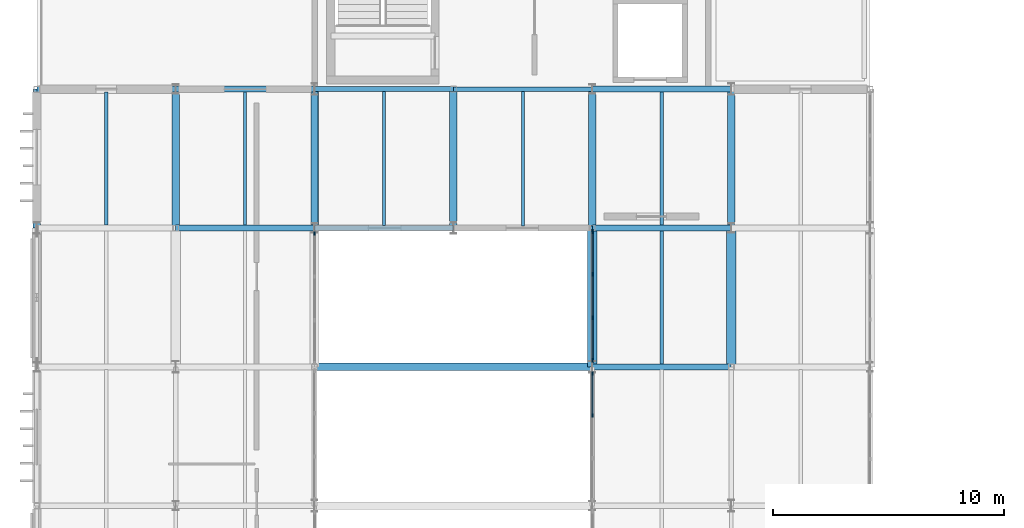
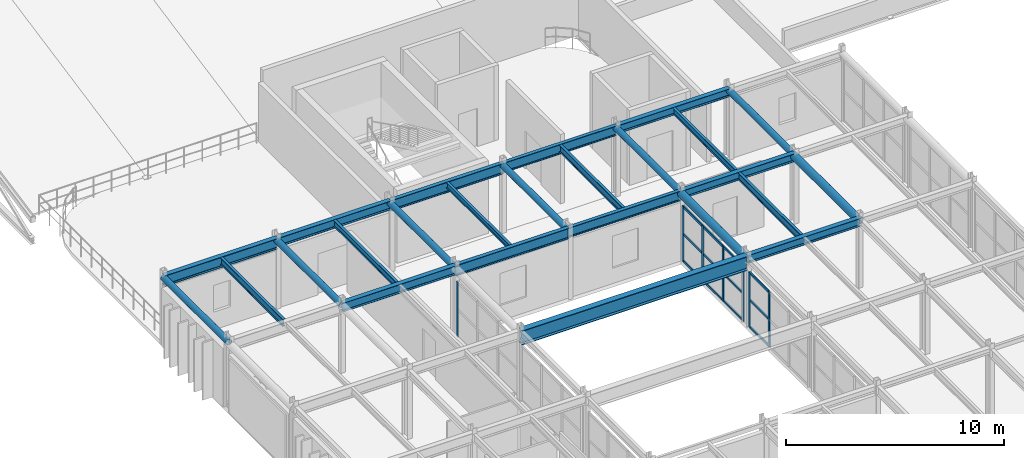
# One storey, part 15 of 83: 25 beams, 19 members, 3 elements without a shape of their own.
"""IFC4 building model written with IfcOpenShell, lengths in metres."""

from ifc_helpers import new_model, si_unit, direction, frame, origin, origin_2d, place, context, subcontext, project, spatial, rectangle, hollow_circle, i_section, extrude, material, material_profile, profile_set, type_object, element, aggregate, save


model = new_model("IFC4")

# Units and contexts
model_context = context("Model", 3, precision=1e-05, world=origin(), true_north=direction((0.0, 1.0)))
body_context = subcontext(model_context, "Body", "Model", "MODEL_VIEW")
ifc_project = project(units=[si_unit("LENGTHUNIT", "METRE"), si_unit("AREAUNIT", "SQUARE_METRE"), si_unit("VOLUMEUNIT", "CUBIC_METRE"), si_unit("PLANEANGLEUNIT", "RADIAN"), si_unit("MASSUNIT", "GRAM", prefix="KILO")], contexts=[model_context])

# Site, building, storey
site_placement = place(None, origin())
site = spatial("IfcSite", under=ifc_project, at=site_placement, CompositionType="ELEMENT")
building_placement = place(site_placement, origin())
building = spatial("IfcBuilding", under=site, at=building_placement, Name="Varnakota Square Police Headquarters", CompositionType="ELEMENT")
storey_placement = place(building_placement, frame((0.0, 0.0, 18.0)))
storey = spatial("IfcBuildingStorey", under=building, at=storey_placement, Name="L04", CompositionType="ELEMENT", Elevation=18.0)

# Beams
ifc_material_1 = material(Name="Steel IS 2062 Grade 350", Category="steel")
ifc_material_profile_1 = material_profile(ifc_material_1, hollow_circle(Radius=0.161865234375, WallThickness=0.0126953125, at=origin_2d()), Name="CHS 323.9x12.7")
ifc_profile_set_1 = profile_set([ifc_material_profile_1], Name="Steel IS 2062 Grade 350")
beam_type_1 = type_object("IfcBeamType", Name="BM-ARC-CHS324", PredefinedType="BEAM", material=ifc_profile_set_1)
for number, where, z_axis, x_axis, name in (
    (1, (6.0, 57.0, 3.738037109375), (0.0, 1.0, 0.0), (-1.0, 0.0, 0.0), "BMG-L04-2936"),
    (2, (12.0, 57.0, 3.738037109375), (0.0, 1.0, 0.0), (-1.0, 0.0, 0.0), "BMG-L04-2943"),
    (3, (18.0, 57.0, 3.738037109375), (0.0, 1.0, 0.0), (-1.0, 0.0, 0.0), "BMG-L04-2950"),
    (4, (24.0, 57.0, 3.738037109375), (0.0, 1.0, 0.0), (-1.0, 0.0, 0.0), "BMG-L04-2954"),
    (5, (30.0, 57.0, 3.738037109375), (0.0, 1.0, 0.0), (-1.0, 0.0, 0.0), "BMG-L04-2961"),
    (6, (36.0, 57.0, 3.738037109375), (0.0, 1.0, 0.0), (-1.0, 0.0, 0.0), "BMG-L04-2968"),
):
    element("IfcBeam", number, at=place(storey_placement, frame(where, z_axis=z_axis, x_axis=x_axis)), inside=storey, type_object=beam_type_1, Name=name, PredefinedType="BEAM", context=body_context, shape_type="SweptSolid", body=[
        extrude(hollow_circle(Radius=0.161865234375, WallThickness=0.0126953125, at=origin_2d()), origin(), (0.0, 0.0, 1.0), 6.0),
    ])
ifc_material_profile_2 = material_profile(ifc_material_1, hollow_circle(Radius=0.203125, WallThickness=0.01611328125, at=origin_2d()), Name="CHS 406.4x16.0")
ifc_profile_set_2 = profile_set([ifc_material_profile_2], Name="Steel IS 2062 Grade 350")
beam_type_2 = type_object("IfcBeamType", Name="BM-ARC-CHS406", PredefinedType="BEAM", material=ifc_profile_set_2)
for number, where, z_axis, x_axis, name in (
    (7, (30.0, 51.0, 3.69677734375), (0.0, 1.0, 0.0), (-1.0, 0.0, 0.0), "BMG-L04-2960"),
    (8, (36.0, 51.0, 3.69677734375), (0.0, 1.0, 0.0), (-1.0, 0.0, 0.0), "BMG-L04-2967"),
):
    element("IfcBeam", number, at=place(storey_placement, frame(where, z_axis=z_axis, x_axis=x_axis)), inside=storey, type_object=beam_type_2, Name=name, PredefinedType="BEAM", context=body_context, shape_type="SweptSolid", body=[
        extrude(hollow_circle(Radius=0.203125, WallThickness=0.01611328125, at=origin_2d()), origin(), (0.0, 0.0, 1.0), 6.0),
    ])
ifc_material_profile_3 = material_profile(ifc_material_1, i_section(OverallWidth=0.320068359375, OverallDepth=0.800048828125, WebThickness=0.01611328125, FlangeThickness=0.028076171875, at=origin_2d()), Name="BPG 800x320")
ifc_profile_set_3 = profile_set([ifc_material_profile_3], Name="Steel IS 2062 Grade 350")
beam_type_3 = type_object("IfcBeamType", Name="BM-BPG800", PredefinedType="BEAM", material=ifc_profile_set_3)
beam_1_placement = place(storey_placement, frame((18.0, 51.0, 3.5), z_axis=(1.0, 0.0, 0.0), x_axis=(0.0, 1.0, 0.0)))
element("IfcBeam", 9, at=beam_1_placement, inside=storey, type_object=beam_type_3, Name="BMG-L04-2915", PredefinedType="BEAM", context=body_context, shape_type="SweptSolid", body=[
    extrude(i_section(OverallWidth=0.320068359375, OverallDepth=0.800048828125, WebThickness=0.01611328125, FlangeThickness=0.028076171875, at=origin_2d()), origin(), (0.0, 0.0, 1.0), 12.0),
])
ifc_material_profile_4 = material_profile(ifc_material_1, i_section(OverallWidth=0.25, OverallDepth=0.449951171875, WebThickness=0.01123046875, FlangeThickness=0.013671875, FilletRadius=0.014892578125, at=origin_2d()), Name="ISHB 450")
ifc_profile_set_4 = profile_set([ifc_material_profile_4], Name="Steel IS 2062 Grade 350")
beam_type_4 = type_object("IfcBeamType", Name="BM-ISHB450", PredefinedType="BEAM", material=ifc_profile_set_4)
for number, where, z_axis, x_axis, name in (
    (10, (30.0, 51.0, 3.675048828125), (1.0, 0.0, 0.0), (0.0, 1.0, 0.0), "BMG-L04-2916"),
    (11, (30.0, 57.0, 3.675048828125), (1.0, 0.0, 0.0), (0.0, 1.0, 0.0), "BMG-L04-2922"),
    (12, (30.0, 63.0, 3.675048828125), (1.0, 0.0, 0.0), (0.0, 1.0, 0.0), "BMG-L04-2928"),
):
    element("IfcBeam", number, at=place(storey_placement, frame(where, z_axis=z_axis, x_axis=x_axis)), inside=storey, type_object=beam_type_4, Name=name, PredefinedType="BEAM", context=body_context, shape_type="SweptSolid", body=[
        extrude(i_section(OverallWidth=0.25, OverallDepth=0.449951171875, WebThickness=0.01123046875, FlangeThickness=0.013671875, FilletRadius=0.014892578125, at=origin_2d()), origin(), (0.0, 0.0, 1.0), 6.0),
    ])
ifc_material_profile_5 = material_profile(ifc_material_1, i_section(OverallWidth=0.139892578125, OverallDepth=0.300048828125, WebThickness=0.0078125, FlangeThickness=0.01318359375, FilletRadius=0.013916015625, at=origin_2d()), Name="ISMB 300")
ifc_profile_set_5 = profile_set([ifc_material_profile_5], Name="Steel IS 2062 Grade 350")
beam_type_5 = type_object("IfcBeamType", Name="BM-ISMB300", PredefinedType="JOIST", material=ifc_profile_set_5)
beam_2_placement = place(storey_placement, frame((21.0, 57.10302734375, 3.75), z_axis=(0.0, 1.0, 0.0), x_axis=(-1.0, 0.0, 0.0)))
element("IfcBeam", 13, at=beam_2_placement, inside=storey, type_object=beam_type_5, Name="BMG-L04-3036", PredefinedType="JOIST", context=body_context, shape_type="SweptSolid", body=[
    extrude(i_section(OverallWidth=0.139892578125, OverallDepth=0.300048828125, WebThickness=0.0078125, FlangeThickness=0.01318359375, FilletRadius=0.013916015625, at=origin_2d()), origin(), (0.0, 0.0, 1.0), 5.7939453125),
])
ifc_material_profile_6 = material_profile(ifc_material_1, i_section(OverallWidth=0.139892578125, OverallDepth=0.35009765625, WebThickness=0.008056640625, FlangeThickness=0.01416015625, FilletRadius=0.013916015625, at=origin_2d()), Name="ISMB 350")
ifc_profile_set_6 = profile_set([ifc_material_profile_6], Name="Steel IS 2062 Grade 350")
beam_type_6 = type_object("IfcBeamType", Name="BM-ISMB350", PredefinedType="JOIST", material=ifc_profile_set_6)
for number, where, z_axis, x_axis, name in (
    (14, (15.0, 57.123046875, 3.72509765625), (0.0, 1.0, 0.0), (-1.0, 0.0, 0.0), "BMG-L04-3032"),
    (15, (33.0, 57.123046875, 3.72509765625), (0.0, 1.0, 0.0), (-1.0, 0.0, 0.0), "BMG-L04-3047"),
):
    element("IfcBeam", number, at=place(storey_placement, frame(where, z_axis=z_axis, x_axis=x_axis)), inside=storey, type_object=beam_type_6, Name=name, PredefinedType="JOIST", context=body_context, shape_type="SweptSolid", body=[
        extrude(i_section(OverallWidth=0.139892578125, OverallDepth=0.35009765625, WebThickness=0.008056640625, FlangeThickness=0.01416015625, FilletRadius=0.013916015625, at=origin_2d()), origin(), (0.0, 0.0, 1.0), 5.75390625),
    ])
ifc_material_profile_7 = material_profile(ifc_material_1, i_section(OverallWidth=0.139892578125, OverallDepth=0.39990234375, WebThickness=0.0087890625, FlangeThickness=0.01611328125, FilletRadius=0.013916015625, at=origin_2d()), Name="ISMB 400")
ifc_profile_set_7 = profile_set([ifc_material_profile_7], Name="Steel IS 2062 Grade 350")
beam_type_7 = type_object("IfcBeamType", Name="BM-ISMB400", PredefinedType="JOIST", material=ifc_profile_set_7)
beam_3_placement = place(storey_placement, frame((9.0, 57.123046875, 3.699951171875), z_axis=(0.0, 1.0, 0.0), x_axis=(-1.0, 0.0, 0.0)))
element("IfcBeam", 16, at=beam_3_placement, inside=storey, type_object=beam_type_7, Name="BMG-L04-3026", PredefinedType="JOIST", context=body_context, shape_type="SweptSolid", body=[
    extrude(i_section(OverallWidth=0.139892578125, OverallDepth=0.39990234375, WebThickness=0.0087890625, FlangeThickness=0.01611328125, FilletRadius=0.013916015625, at=origin_2d()), origin(), (0.0, 0.0, 1.0), 5.75390625),
])
beam_4_placement = place(storey_placement, frame((27.0, 57.093017578125, 3.699951171875), z_axis=(0.0, 1.0, 0.0), x_axis=(-1.0, 0.0, 0.0)))
element("IfcBeam", 17, at=beam_4_placement, inside=storey, type_object=beam_type_7, Name="BMG-L04-3040", PredefinedType="JOIST", context=body_context, shape_type="SweptSolid", body=[
    extrude(i_section(OverallWidth=0.139892578125, OverallDepth=0.39990234375, WebThickness=0.0087890625, FlangeThickness=0.01611328125, FilletRadius=0.013916015625, at=origin_2d()), origin(), (0.0, 0.0, 1.0), 5.81396484375),
])
beam_5_placement = place(storey_placement, frame((33.0, 51.123046875, 3.699951171875), z_axis=(0.0, 1.0, 0.0), x_axis=(-1.0, 0.0, 0.0)))
element("IfcBeam", 18, at=beam_5_placement, inside=storey, type_object=beam_type_7, Name="BMG-L04-3046", PredefinedType="JOIST", context=body_context, shape_type="SweptSolid", body=[
    extrude(i_section(OverallWidth=0.139892578125, OverallDepth=0.39990234375, WebThickness=0.0087890625, FlangeThickness=0.01611328125, FilletRadius=0.013916015625, at=origin_2d()), origin(), (0.0, 0.0, 1.0), 5.75390625),
])
ifc_material_profile_8 = material_profile(ifc_material_1, i_section(OverallWidth=0.18994140625, OverallDepth=0.550048828125, WebThickness=0.01123046875, FlangeThickness=0.019287109375, FilletRadius=0.01806640625, at=origin_2d()), Name="ISMB 550")
ifc_profile_set_8 = profile_set([ifc_material_profile_8], Name="Steel IS 2062 Grade 350")
beam_type_8 = type_object("IfcBeamType", Name="BM-ISMB550", PredefinedType="BEAM", material=ifc_profile_set_8)
for number, where, z_axis, x_axis, name in (
    (19, (24.0, 57.0, 3.625), (1.0, 0.0, 0.0), (0.0, 1.0, 0.0), "BMG-L04-2921"),
    (20, (24.0, 63.0, 3.625), (1.0, 0.0, 0.0), (0.0, 1.0, 0.0), "BMG-L04-2927"),
):
    element("IfcBeam", number, at=place(storey_placement, frame(where, z_axis=z_axis, x_axis=x_axis)), inside=storey, type_object=beam_type_8, Name=name, PredefinedType="BEAM", context=body_context, shape_type="SweptSolid", body=[
        extrude(i_section(OverallWidth=0.18994140625, OverallDepth=0.550048828125, WebThickness=0.01123046875, FlangeThickness=0.019287109375, FilletRadius=0.01806640625, at=origin_2d()), origin(), (0.0, 0.0, 1.0), 6.0),
    ])
ifc_material_profile_9 = material_profile(ifc_material_1, i_section(OverallWidth=0.2099609375, OverallDepth=0.60009765625, WebThickness=0.011962890625, FlangeThickness=0.020751953125, FilletRadius=0.02001953125, at=origin_2d()), Name="ISMB 600")
ifc_profile_set_9 = profile_set([ifc_material_profile_9], Name="Steel IS 2062 Grade 350")
beam_type_9 = type_object("IfcBeamType", Name="BM-ISMB600", PredefinedType="BEAM", material=ifc_profile_set_9)
for number, where, z_axis, x_axis, name in (
    (21, (18.0, 57.0, 3.60009765625), (1.0, 0.0, 0.0), (0.0, 1.0, 0.0), "BMG-L04-2920"),
    (22, (18.0, 63.0, 3.60009765625), (1.0, 0.0, 0.0), (0.0, 1.0, 0.0), "BMG-L04-2926"),
):
    element("IfcBeam", number, at=place(storey_placement, frame(where, z_axis=z_axis, x_axis=x_axis)), inside=storey, type_object=beam_type_9, Name=name, PredefinedType="BEAM", context=body_context, shape_type="SweptSolid", body=[
        extrude(i_section(OverallWidth=0.2099609375, OverallDepth=0.60009765625, WebThickness=0.011962890625, FlangeThickness=0.020751953125, FilletRadius=0.02001953125, at=origin_2d()), origin(), (0.0, 0.0, 1.0), 6.0),
    ])
ifc_material_profile_10 = material_profile(ifc_material_1, i_section(OverallWidth=0.25, OverallDepth=0.5, WebThickness=0.010009765625, FlangeThickness=0.0146484375, FilletRadius=0.014892578125, at=origin_2d()), Name="ISWB 500")
ifc_profile_set_10 = profile_set([ifc_material_profile_10], Name="Steel IS 2062 Grade 350")
beam_type_10 = type_object("IfcBeamType", Name="BM-ISWB500", PredefinedType="BEAM", material=ifc_profile_set_10)
for number, where, z_axis, x_axis, name in (
    (23, (12.0, 57.0, 3.64990234375), (1.0, 0.0, 0.0), (0.0, 1.0, 0.0), "BMG-L04-2919"),
    (24, (12.0, 63.0, 3.64990234375), (1.0, 0.0, 0.0), (0.0, 1.0, 0.0), "BMG-L04-2925"),
):
    element("IfcBeam", number, at=place(storey_placement, frame(where, z_axis=z_axis, x_axis=x_axis)), inside=storey, type_object=beam_type_10, Name=name, PredefinedType="BEAM", context=body_context, shape_type="SweptSolid", body=[
        extrude(i_section(OverallWidth=0.25, OverallDepth=0.5, WebThickness=0.010009765625, FlangeThickness=0.0146484375, FilletRadius=0.014892578125, at=origin_2d()), origin(), (0.0, 0.0, 1.0), 6.0),
    ])
ifc_material_profile_11 = material_profile(ifc_material_1, i_section(OverallWidth=0.25, OverallDepth=0.60009765625, WebThickness=0.01171875, FlangeThickness=0.023681640625, FilletRadius=0.01708984375, at=origin_2d()), Name="ISWB 600")
ifc_profile_set_11 = profile_set([ifc_material_profile_11], Name="Steel IS 2062 Grade 350")
beam_type_11 = type_object("IfcBeamType", Name="BM-ISWB600", PredefinedType="BEAM", material=ifc_profile_set_11)
beam_6_placement = place(storey_placement, frame((6.0, 63.0, 3.60009765625), z_axis=(1.0, 0.0, 0.0), x_axis=(0.0, 1.0, 0.0)))
element("IfcBeam", 25, at=beam_6_placement, inside=storey, type_object=beam_type_11, Name="BMG-L04-2924", PredefinedType="BEAM", context=body_context, shape_type="SweptSolid", body=[
    extrude(i_section(OverallWidth=0.25, OverallDepth=0.60009765625, WebThickness=0.01171875, FlangeThickness=0.023681640625, FilletRadius=0.01708984375, at=origin_2d()), origin(), (0.0, 0.0, 1.0), 6.0),
])

# Curtain wall, members
ifc_material_2 = material(Name="Anodised Aluminium Framing", Category="aluminium")
curtain_wall_type = type_object("IfcCurtainWallType", Name="CW-SYS-F", PredefinedType="NOTDEFINED", material=ifc_material_2)
curtain_wall_1_placement = place(storey_placement, origin())
curtain_wall_1 = element("IfcCurtainWall", 26, at=curtain_wall_1_placement, inside=storey, type_object=curtain_wall_type, Name="Unitised curtain wall CWG-L04-189", PredefinedType="NOTDEFINED")
ifc_material_3 = material(Name="Anodised Aluminium 6063-T6", Category="aluminium")
ifc_material_profile_12 = material_profile(ifc_material_3, rectangle(XDim=0.06494140625, YDim=0.159912109375, at=origin_2d()), Name="ALU MULLION 65x160")
ifc_profile_set_12 = profile_set([ifc_material_profile_12], Name="Anodised Aluminium 6063-T6")
member_type_1 = type_object("IfcMemberType", Name="CWM-150", PredefinedType="MULLION", material=ifc_profile_set_12)
member_1_placement = place(storey_placement, frame((30.0, 48.8984375, 0.0), z_axis=(0.0, 0.0, 1.0), x_axis=(-1.0, 0.0, 0.0)))
member_1 = element("IfcMember", 27, at=member_1_placement, type_object=member_type_1, Name="CWG-L04-189 mullion 3", PredefinedType="MULLION", context=body_context, shape_type="SweptSolid", body=[
    extrude(rectangle(XDim=0.06494140625, YDim=0.159912109375, at=origin_2d()), origin(), (0.0, 0.0, 1.0), 3.090087890625),
])
member_2_placement = place(storey_placement, frame((30.0, 50.71240234375, 0.0), z_axis=(0.0, 0.0, 1.0), x_axis=(-1.0, 0.0, 0.0)))
member_2 = element("IfcMember", 28, at=member_2_placement, type_object=member_type_1, Name="CWG-L04-189 mullion 4", PredefinedType="MULLION", context=body_context, shape_type="SweptSolid", body=[
    extrude(rectangle(XDim=0.06494140625, YDim=0.159912109375, at=origin_2d()), origin(), (0.0, 0.0, 1.0), 3.090087890625),
])

# Curtain wall, member
curtain_wall_2_placement = place(storey_placement, origin())
curtain_wall_2 = element("IfcCurtainWall", 29, at=curtain_wall_2_placement, inside=storey, type_object=curtain_wall_type, Name="Unitised curtain wall CWG-L04-190", PredefinedType="NOTDEFINED")
member_3_placement = place(storey_placement, frame((18.0, 56.762451171875, 0.0), z_axis=(0.0, 0.0, 1.0), x_axis=(-1.0, 0.0, 0.0)))
member_3 = element("IfcMember", 30, at=member_3_placement, type_object=member_type_1, Name="CWG-L04-190 mullion 4", PredefinedType="MULLION", context=body_context, shape_type="SweptSolid", body=[
    extrude(rectangle(XDim=0.06494140625, YDim=0.159912109375, at=origin_2d()), origin(), (0.0, 0.0, 1.0), 3.090087890625),
])
aggregate(curtain_wall_2, [member_3])

# Curtain wall, members
curtain_wall_3_placement = place(storey_placement, origin())
curtain_wall_3 = element("IfcCurtainWall", 31, at=curtain_wall_3_placement, inside=storey, type_object=curtain_wall_type, Name="Unitised curtain wall CWG-L04-191", PredefinedType="NOTDEFINED")
member_4_placement = place(storey_placement, frame((30.0, 51.28759765625, 0.0), z_axis=(0.0, 0.0, 1.0), x_axis=(-1.0, 0.0, 0.0)))
member_4 = element("IfcMember", 32, at=member_4_placement, type_object=member_type_1, Name="CWG-L04-191 mullion 1", PredefinedType="MULLION", context=body_context, shape_type="SweptSolid", body=[
    extrude(rectangle(XDim=0.06494140625, YDim=0.159912109375, at=origin_2d()), origin(), (0.0, 0.0, 1.0), 3.090087890625),
])
member_5_placement = place(storey_placement, frame((30.0, 53.126708984375, 0.0), z_axis=(0.0, 0.0, 1.0), x_axis=(-1.0, 0.0, 0.0)))
member_5 = element("IfcMember", 33, at=member_5_placement, type_object=member_type_1, Name="CWG-L04-191 mullion 2", PredefinedType="MULLION", context=body_context, shape_type="SweptSolid", body=[
    extrude(rectangle(XDim=0.06494140625, YDim=0.159912109375, at=origin_2d()), origin(), (0.0, 0.0, 1.0), 3.090087890625),
])
member_6_placement = place(storey_placement, frame((30.0, 54.998291015625, 0.0), z_axis=(0.0, 0.0, 1.0), x_axis=(-1.0, 0.0, 0.0)))
member_6 = element("IfcMember", 34, at=member_6_placement, type_object=member_type_1, Name="CWG-L04-191 mullion 3", PredefinedType="MULLION", context=body_context, shape_type="SweptSolid", body=[
    extrude(rectangle(XDim=0.06494140625, YDim=0.159912109375, at=origin_2d()), origin(), (0.0, 0.0, 1.0), 3.090087890625),
])
member_7_placement = place(storey_placement, frame((30.0, 56.83740234375, 0.0), z_axis=(0.0, 0.0, 1.0), x_axis=(-1.0, 0.0, 0.0)))
member_7 = element("IfcMember", 35, at=member_7_placement, type_object=member_type_1, Name="CWG-L04-191 mullion 4", PredefinedType="MULLION", context=body_context, shape_type="SweptSolid", body=[
    extrude(rectangle(XDim=0.06494140625, YDim=0.159912109375, at=origin_2d()), origin(), (0.0, 0.0, 1.0), 3.090087890625),
])

# Member
ifc_material_profile_13 = material_profile(ifc_material_3, rectangle(XDim=0.06494140625, YDim=0.1298828125, at=origin_2d()), Name="ALU TRANSOM 65x130")
ifc_profile_set_13 = profile_set([ifc_material_profile_13], Name="Anodised Aluminium 6063-T6")
member_type_2 = type_object("IfcMemberType", Name="CWT-120", PredefinedType="USERDEFINED", material=ifc_profile_set_13)
member_8_placement = place(storey_placement, frame((30.0, 48.930908203125, 0.032470703125), z_axis=(0.0, 1.0, 0.0), x_axis=(-1.0, 0.0, 0.0)))
member_8 = element("IfcMember", 36, at=member_8_placement, type_object=member_type_2, Name="CWG-L04-189 transom 3.1", ObjectType="TRANSOM", PredefinedType="USERDEFINED", context=body_context, shape_type="SweptSolid", body=[
    extrude(rectangle(XDim=0.06494140625, YDim=0.1298828125, at=origin_2d()), origin(), (0.0, 0.0, 1.0), 1.7490234375),
])

member_9_placement = place(storey_placement, frame((30.0, 48.930908203125, 1.544921875), z_axis=(0.0, 1.0, 0.0), x_axis=(-1.0, 0.0, 0.0)))
member_9 = element("IfcMember", 37, at=member_9_placement, type_object=member_type_2, Name="CWG-L04-189 transom 3.2", ObjectType="TRANSOM", PredefinedType="USERDEFINED", context=body_context, shape_type="SweptSolid", body=[
    extrude(rectangle(XDim=0.06494140625, YDim=0.1298828125, at=origin_2d()), origin(), (0.0, 0.0, 1.0), 1.7490234375),
])

member_10_placement = place(storey_placement, frame((30.0, 48.930908203125, 3.0576171875), z_axis=(0.0, 1.0, 0.0), x_axis=(-1.0, 0.0, 0.0)))
member_10 = element("IfcMember", 38, at=member_10_placement, type_object=member_type_2, Name="CWG-L04-189 transom 3.3", ObjectType="TRANSOM", PredefinedType="USERDEFINED", context=body_context, shape_type="SweptSolid", body=[
    extrude(rectangle(XDim=0.06494140625, YDim=0.1298828125, at=origin_2d()), origin(), (0.0, 0.0, 1.0), 1.7490234375),
])

aggregate(curtain_wall_1, [member_1, member_2, member_8, member_9, member_10])

member_11_placement = place(storey_placement, frame((30.0, 51.320068359375, 0.032470703125), z_axis=(0.0, 1.0, 0.0), x_axis=(-1.0, 0.0, 0.0)))
member_11 = element("IfcMember", 39, at=member_11_placement, type_object=member_type_2, Name="CWG-L04-191 transom 1.1", ObjectType="TRANSOM", PredefinedType="USERDEFINED", context=body_context, shape_type="SweptSolid", body=[
    extrude(rectangle(XDim=0.06494140625, YDim=0.1298828125, at=origin_2d()), origin(), (0.0, 0.0, 1.0), 1.774169921875),
])

member_12_placement = place(storey_placement, frame((30.0, 51.320068359375, 1.544921875), z_axis=(0.0, 1.0, 0.0), x_axis=(-1.0, 0.0, 0.0)))
member_12 = element("IfcMember", 40, at=member_12_placement, type_object=member_type_2, Name="CWG-L04-191 transom 1.2", ObjectType="TRANSOM", PredefinedType="USERDEFINED", context=body_context, shape_type="SweptSolid", body=[
    extrude(rectangle(XDim=0.06494140625, YDim=0.1298828125, at=origin_2d()), origin(), (0.0, 0.0, 1.0), 1.774169921875),
])

member_13_placement = place(storey_placement, frame((30.0, 51.320068359375, 3.0576171875), z_axis=(0.0, 1.0, 0.0), x_axis=(-1.0, 0.0, 0.0)))
member_13 = element("IfcMember", 41, at=member_13_placement, type_object=member_type_2, Name="CWG-L04-191 transom 1.3", ObjectType="TRANSOM", PredefinedType="USERDEFINED", context=body_context, shape_type="SweptSolid", body=[
    extrude(rectangle(XDim=0.06494140625, YDim=0.1298828125, at=origin_2d()), origin(), (0.0, 0.0, 1.0), 1.774169921875),
])

member_14_placement = place(storey_placement, frame((30.0, 53.1591796875, 0.032470703125), z_axis=(0.0, 1.0, 0.0), x_axis=(-1.0, 0.0, 0.0)))
member_14 = element("IfcMember", 42, at=member_14_placement, type_object=member_type_2, Name="CWG-L04-191 transom 2.1", ObjectType="TRANSOM", PredefinedType="USERDEFINED", context=body_context, shape_type="SweptSolid", body=[
    extrude(rectangle(XDim=0.06494140625, YDim=0.1298828125, at=origin_2d()), origin(), (0.0, 0.0, 1.0), 1.806640625),
])

member_15_placement = place(storey_placement, frame((30.0, 53.1591796875, 1.544921875), z_axis=(0.0, 1.0, 0.0), x_axis=(-1.0, 0.0, 0.0)))
member_15 = element("IfcMember", 43, at=member_15_placement, type_object=member_type_2, Name="CWG-L04-191 transom 2.2", ObjectType="TRANSOM", PredefinedType="USERDEFINED", context=body_context, shape_type="SweptSolid", body=[
    extrude(rectangle(XDim=0.06494140625, YDim=0.1298828125, at=origin_2d()), origin(), (0.0, 0.0, 1.0), 1.806640625),
])

member_16_placement = place(storey_placement, frame((30.0, 53.1591796875, 3.0576171875), z_axis=(0.0, 1.0, 0.0), x_axis=(-1.0, 0.0, 0.0)))
member_16 = element("IfcMember", 44, at=member_16_placement, type_object=member_type_2, Name="CWG-L04-191 transom 2.3", ObjectType="TRANSOM", PredefinedType="USERDEFINED", context=body_context, shape_type="SweptSolid", body=[
    extrude(rectangle(XDim=0.06494140625, YDim=0.1298828125, at=origin_2d()), origin(), (0.0, 0.0, 1.0), 1.806640625),
])

member_17_placement = place(storey_placement, frame((30.0, 55.03076171875, 0.032470703125), z_axis=(0.0, 1.0, 0.0), x_axis=(-1.0, 0.0, 0.0)))
member_17 = element("IfcMember", 45, at=member_17_placement, type_object=member_type_2, Name="CWG-L04-191 transom 3.1", ObjectType="TRANSOM", PredefinedType="USERDEFINED", context=body_context, shape_type="SweptSolid", body=[
    extrude(rectangle(XDim=0.06494140625, YDim=0.1298828125, at=origin_2d()), origin(), (0.0, 0.0, 1.0), 1.774169921875),
])

member_18_placement = place(storey_placement, frame((30.0, 55.03076171875, 1.544921875), z_axis=(0.0, 1.0, 0.0), x_axis=(-1.0, 0.0, 0.0)))
member_18 = element("IfcMember", 46, at=member_18_placement, type_object=member_type_2, Name="CWG-L04-191 transom 3.2", ObjectType="TRANSOM", PredefinedType="USERDEFINED", context=body_context, shape_type="SweptSolid", body=[
    extrude(rectangle(XDim=0.06494140625, YDim=0.1298828125, at=origin_2d()), origin(), (0.0, 0.0, 1.0), 1.774169921875),
])

member_19_placement = place(storey_placement, frame((30.0, 55.03076171875, 3.0576171875), z_axis=(0.0, 1.0, 0.0), x_axis=(-1.0, 0.0, 0.0)))
member_19 = element("IfcMember", 47, at=member_19_placement, type_object=member_type_2, Name="CWG-L04-191 transom 3.3", ObjectType="TRANSOM", PredefinedType="USERDEFINED", context=body_context, shape_type="SweptSolid", body=[
    extrude(rectangle(XDim=0.06494140625, YDim=0.1298828125, at=origin_2d()), origin(), (0.0, 0.0, 1.0), 1.774169921875),
])

aggregate(curtain_wall_3, [member_4, member_5, member_6, member_7, member_11, member_12, member_13, member_14, member_15, member_16, member_17, member_18, member_19])

save(model, "model.ifc")
